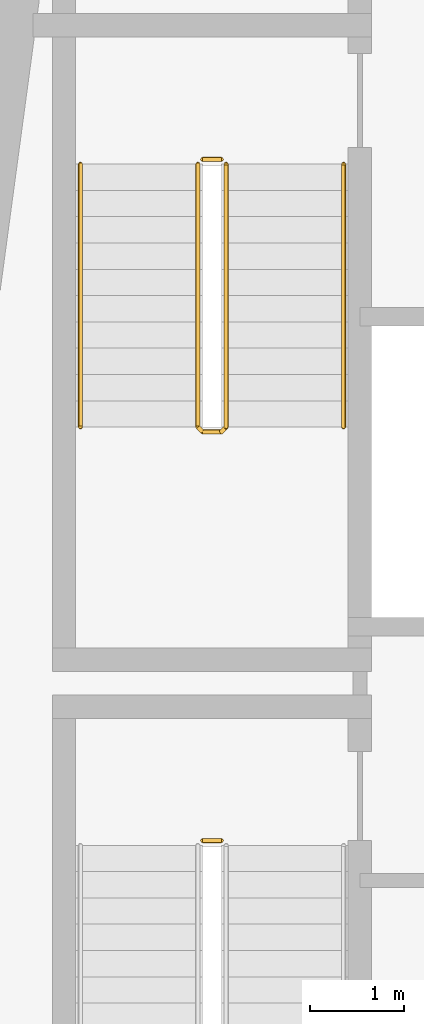
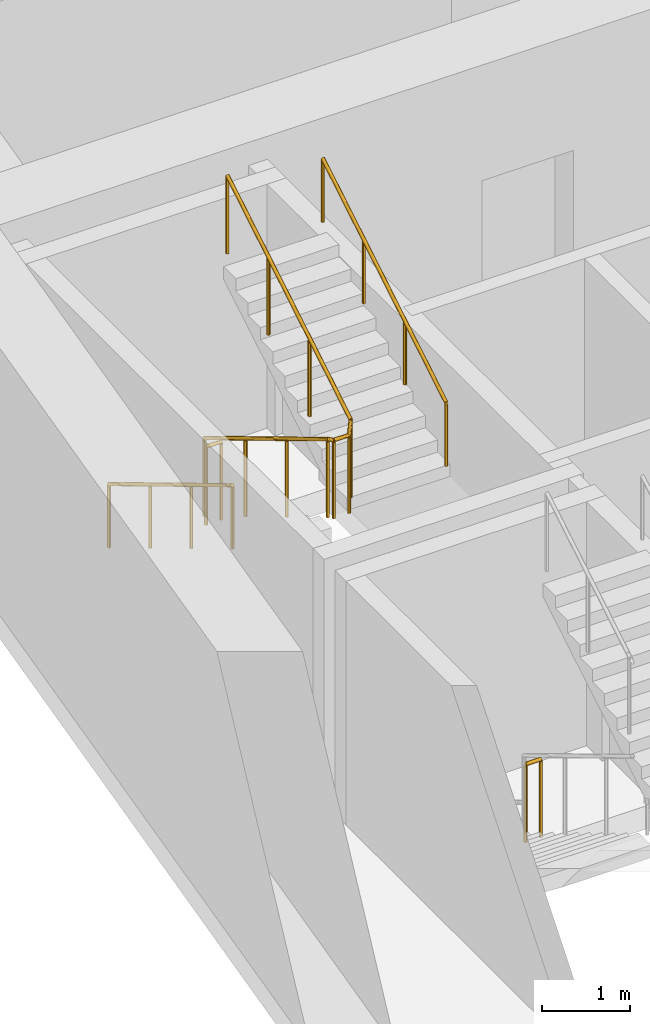
# One storey, part 10 of 13: 5 railings.
"""IFC4 building model written with IfcOpenShell, lengths in metres."""

from ifc_helpers import new_model, si_unit, direction, frame, origin, origin_2d, place, context, subcontext, project, spatial, circle, extrude, material, type_object, element, save


model = new_model("IFC4")

# Units and contexts
model_context = context("Model", 3, precision=1e-05, world=origin(), true_north=direction((0.0, 1.0)))
body_context = subcontext(model_context, "Body", "Model", "MODEL_VIEW")
ifc_project = project(units=[si_unit("LENGTHUNIT", "METRE"), si_unit("AREAUNIT", "SQUARE_METRE"), si_unit("VOLUMEUNIT", "CUBIC_METRE"), si_unit("PLANEANGLEUNIT", "RADIAN"), si_unit("MASSUNIT", "GRAM", prefix="KILO")], contexts=[model_context])

# Site, building, storey
site_placement = place(None, origin())
site = spatial("IfcSite", under=ifc_project, at=site_placement, CompositionType="ELEMENT")
building_placement = place(site_placement, origin())
building = spatial("IfcBuilding", under=site, at=building_placement, Name="Candeia Pilgrim Tower and Theatre", CompositionType="ELEMENT")
storey_placement = place(building_placement, frame((0.0, 0.0, 151.5)))
storey = spatial("IfcBuildingStorey", under=building, at=storey_placement, Name="L35", CompositionType="ELEMENT", Elevation=151.5)

# Railings
ifc_material_1 = material(Name="Stainless steel balustrade", Category="steel")
railing_type_1 = type_object("IfcRailingType", Name="RL-GUARD-1100", PredefinedType="GUARDRAIL", material=ifc_material_1)
railing_1_placement = place(storey_placement, frame((91.152099609375, 122.52490234375, 0.0)))
element("IfcRailing", 1, at=railing_1_placement, inside=storey, type_object=railing_type_1, Name="L35 ST1 stair guard 2", PredefinedType="GUARDRAIL", context=body_context, shape_type="SweptSolid", body=[
    extrude(circle(Radius=0.02392578125, at=origin_2d()), frame((0.0, 0.0, 1.076171875), z_axis=(1.0, 0.0, 0.0), x_axis=(0.0, 1.0, 0.0)), (0.0, 0.0, 1.0), 0.199951171875),
    extrude(circle(Radius=0.02099609375, at=origin_2d()), origin(), (0.0, 0.0, 1.0), 1.052001953125),
    extrude(circle(Radius=0.02099609375, at=origin_2d()), frame((0.199951171875, 0.0, 0.0)), (0.0, 0.0, 1.0), 1.052001953125),
])
railing_2_placement = place(storey_placement, frame((91.10205078125, 129.72509765625, 0.168212890625)))
element("IfcRailing", 2, at=railing_2_placement, inside=storey, type_object=railing_type_1, Name="L35 ST2 stair guard 1", PredefinedType="GUARDRAIL", context=body_context, shape_type="SweptSolid", body=[
    extrude(circle(Radius=0.02392578125, at=origin_2d()), frame((0.0, 0.0, 1.076171875), z_axis=(0.0, -0.857242210791, 0.514913383045), x_axis=(1.0, 0.0, 0.0)), (0.0, 0.0, 1.0), 3.266357421875),
    extrude(circle(Radius=0.02392578125, at=origin_2d()), frame((0.0, -2.800048828125, 2.7578125), z_axis=(0.707106781187, -0.707106781187, 0.0), x_axis=(0.707106781187, 0.707106781187, 0.0)), (0.0, 0.0, 1.0), 0.07080078125),
    extrude(circle(Radius=0.02392578125, at=origin_2d()), frame((0.050048828125, -2.85009765625, 2.7578125), z_axis=(1.0, 0.0, 0.0), x_axis=(0.0, 1.0, 0.0)), (0.0, 0.0, 1.0), 0.199951171875),
    extrude(circle(Radius=0.02392578125, at=origin_2d()), frame((0.25, -2.85009765625, 2.7578125), z_axis=(0.274582412415, 0.274582412415, 0.921525364591), x_axis=(-0.707106781187, 0.707106781187, 0.0)), (0.0, 0.0, 1.0), 0.182373046875),
    extrude(circle(Radius=0.02392578125, at=origin_2d()), frame((0.300048828125, -2.800048828125, 2.92578125), z_axis=(0.0, 0.857242210791, 0.514913383045), x_axis=(-1.0, 0.0, 0.0)), (0.0, 0.0, 1.0), 3.266357421875),
    extrude(circle(Radius=0.02099609375, at=origin_2d()), origin(), (0.0, 0.0, 1.0), 1.052001953125),
    extrude(circle(Radius=0.02099609375, at=origin_2d()), frame((0.0, -0.933349609375, 0.560546875)), (0.0, 0.0, 1.0), 1.052001953125),
    extrude(circle(Radius=0.02099609375, at=origin_2d()), frame((0.0, -1.86669921875, 1.121337890625)), (0.0, 0.0, 1.0), 1.052001953125),
    extrude(circle(Radius=0.02099609375, at=origin_2d()), frame((0.0, -2.800048828125, 1.681884765625)), (0.0, 0.0, 1.0), 1.052001953125),
    extrude(circle(Radius=0.02099609375, at=origin_2d()), frame((0.050048828125, -2.85009765625, 1.681884765625)), (0.0, 0.0, 1.0), 1.052001953125),
    extrude(circle(Radius=0.02099609375, at=origin_2d()), frame((0.25, -2.85009765625, 1.681884765625)), (0.0, 0.0, 1.0), 1.052001953125),
    extrude(circle(Radius=0.02099609375, at=origin_2d()), frame((0.300048828125, -2.800048828125, 1.849853515625)), (0.0, 0.0, 1.0), 1.052001953125),
    extrude(circle(Radius=0.02099609375, at=origin_2d()), frame((0.300048828125, -1.86669921875, 2.410400390625)), (0.0, 0.0, 1.0), 1.052001953125),
    extrude(circle(Radius=0.02099609375, at=origin_2d()), frame((0.300048828125, -0.933349609375, 2.97119140625)), (0.0, 0.0, 1.0), 1.052001953125),
    extrude(circle(Radius=0.02099609375, at=origin_2d()), frame((0.300048828125, 0.0, 3.53173828125)), (0.0, 0.0, 1.0), 1.052001953125),
])
railing_3_placement = place(storey_placement, frame((91.152099609375, 129.77490234375, 0.0)))
element("IfcRailing", 3, at=railing_3_placement, inside=storey, type_object=railing_type_1, Name="L35 ST2 stair guard 2", PredefinedType="GUARDRAIL", context=body_context, shape_type="SweptSolid", body=[
    extrude(circle(Radius=0.02392578125, at=origin_2d()), frame((0.0, 0.0, 1.076171875), z_axis=(1.0, 0.0, 0.0), x_axis=(0.0, 1.0, 0.0)), (0.0, 0.0, 1.0), 0.199951171875),
    extrude(circle(Radius=0.02099609375, at=origin_2d()), origin(), (0.0, 0.0, 1.0), 1.052001953125),
    extrude(circle(Radius=0.02099609375, at=origin_2d()), frame((0.199951171875, 0.0, 0.0)), (0.0, 0.0, 1.0), 1.052001953125),
])
ifc_material_2 = material(Name="Stainless steel handrail", Category="steel")
railing_type_2 = type_object("IfcRailingType", Name="RL-HANDRAIL-900", PredefinedType="HANDRAIL", material=ifc_material_2)
railing_4_placement = place(storey_placement, frame((89.85205078125, 129.72509765625, 0.168212890625)))
element("IfcRailing", 4, at=railing_4_placement, inside=storey, type_object=railing_type_2, Name="L35 ST2 stair handrail 1", PredefinedType="HANDRAIL", context=body_context, shape_type="SweptSolid", body=[
    extrude(circle(Radius=0.02392578125, at=origin_2d()), frame((0.0, 0.0, 0.8759765625), z_axis=(0.0, -0.857242210791, 0.514913383045), x_axis=(1.0, 0.0, 0.0)), (0.0, 0.0, 1.0), 3.266357421875),
    extrude(circle(Radius=0.02099609375, at=origin_2d()), origin(), (0.0, 0.0, 1.0), 0.851806640625),
    extrude(circle(Radius=0.02099609375, at=origin_2d()), frame((0.0, -0.933349609375, 0.560546875)), (0.0, 0.0, 1.0), 0.851806640625),
    extrude(circle(Radius=0.02099609375, at=origin_2d()), frame((0.0, -1.86669921875, 1.121337890625)), (0.0, 0.0, 1.0), 0.851806640625),
    extrude(circle(Radius=0.02099609375, at=origin_2d()), frame((0.0, -2.800048828125, 1.681884765625)), (0.0, 0.0, 1.0), 0.851806640625),
])
railing_5_placement = place(storey_placement, frame((92.652099609375, 126.925048828125, 2.01806640625)))
element("IfcRailing", 5, at=railing_5_placement, inside=storey, type_object=railing_type_2, Name="L35 ST2 stair handrail 2", PredefinedType="HANDRAIL", context=body_context, shape_type="SweptSolid", body=[
    extrude(circle(Radius=0.02392578125, at=origin_2d()), frame((0.0, 0.0, 0.8759765625), z_axis=(0.0, 0.857242210791, 0.514913383045), x_axis=(-1.0, 0.0, 0.0)), (0.0, 0.0, 1.0), 3.266357421875),
    extrude(circle(Radius=0.02099609375, at=origin_2d()), origin(), (0.0, 0.0, 1.0), 0.851806640625),
    extrude(circle(Radius=0.02099609375, at=origin_2d()), frame((0.0, 0.933349609375, 0.560546875)), (0.0, 0.0, 1.0), 0.851806640625),
    extrude(circle(Radius=0.02099609375, at=origin_2d()), frame((0.0, 1.86669921875, 1.121337890625)), (0.0, 0.0, 1.0), 0.851806640625),
    extrude(circle(Radius=0.02099609375, at=origin_2d()), frame((0.0, 2.800048828125, 1.681884765625)), (0.0, 0.0, 1.0), 0.851806640625),
])

save(model, "model.ifc")
